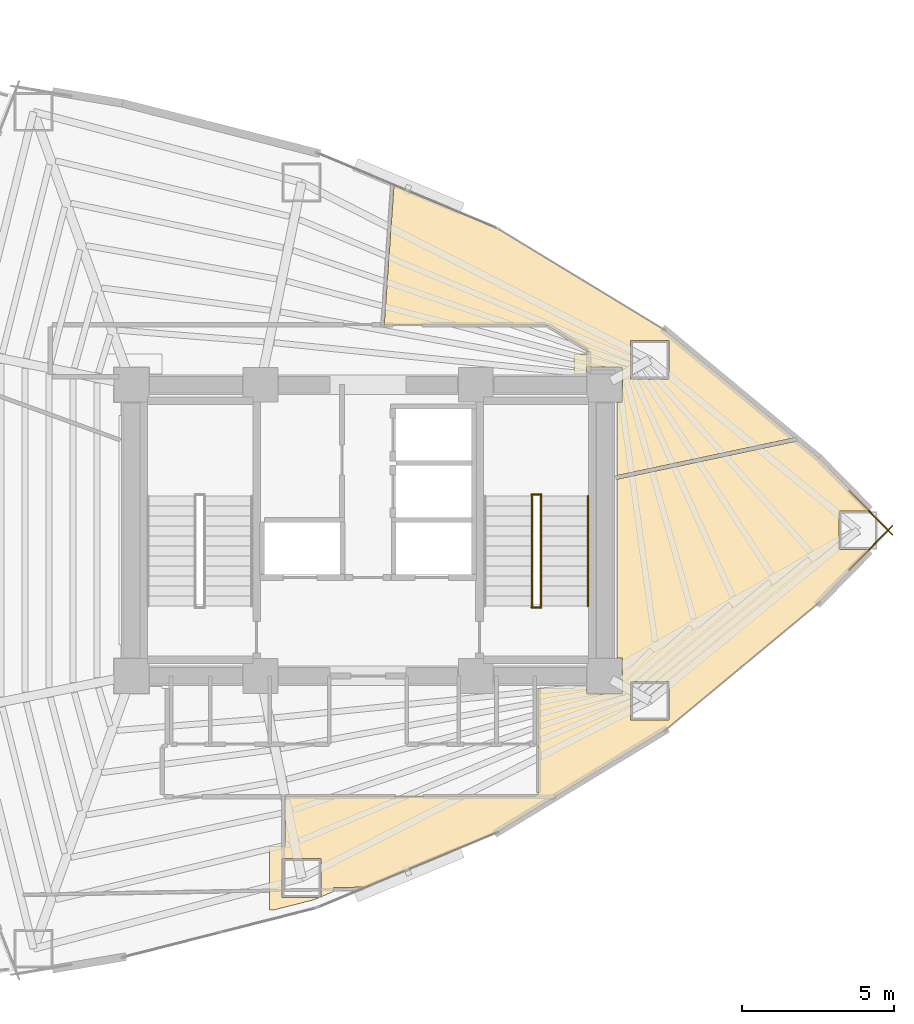
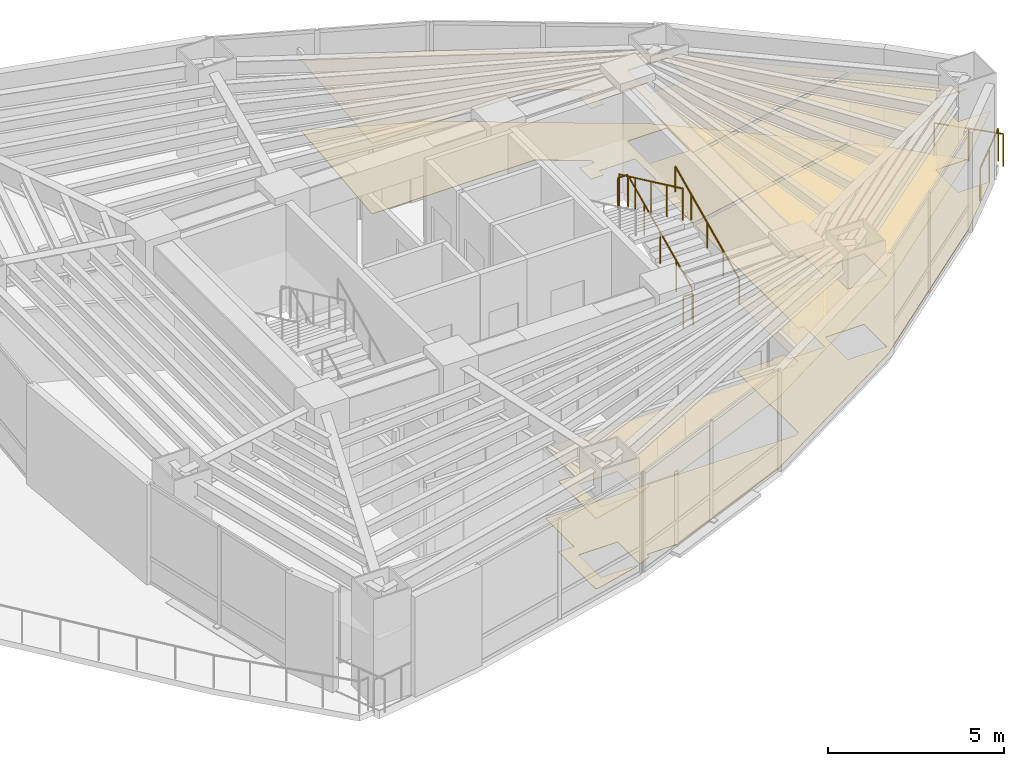
# One storey, part 19 of 19: 7 railings, 4 coverings.
"""IFC4 building model written with IfcOpenShell, lengths in metres."""

from ifc_helpers import new_model, si_unit, direction, frame, origin, origin_2d, place, context, subcontext, project, spatial, polyline, circle, outline, extrude, material, layer, layer_set, type_object, element, save


model = new_model("IFC4")

# Units and contexts
model_context = context("Model", 3, precision=1e-05, world=origin(), true_north=direction((0.0, 1.0)))
body_context = subcontext(model_context, "Body", "Model", "MODEL_VIEW")
ifc_project = project(units=[si_unit("LENGTHUNIT", "METRE"), si_unit("AREAUNIT", "SQUARE_METRE"), si_unit("VOLUMEUNIT", "CUBIC_METRE"), si_unit("PLANEANGLEUNIT", "RADIAN"), si_unit("MASSUNIT", "GRAM", prefix="KILO")], contexts=[model_context])

# Site, building, storey
site_placement = place(None, origin())
site = spatial("IfcSite", under=ifc_project, at=site_placement, CompositionType="ELEMENT")
building_placement = place(site_placement, origin())
building = spatial("IfcBuilding", under=site, at=building_placement, Name="Menara Vayukalpa", CompositionType="ELEMENT")
storey_placement = place(building_placement, frame((0.0, 0.0, 118.860107421875)))
storey = spatial("IfcBuildingStorey", under=building, at=storey_placement, Name="L29", CompositionType="ELEMENT", Elevation=118.860107421875)

# Coverings
ifc_material_1 = material(Name="Mineral Fibre Acoustic Ceiling Tile", Category="masonry")
ifc_layer_1 = layer(ifc_material_1, 0.02490234375)
ifc_layer_set_1 = layer_set([ifc_layer_1], Name="Mineral Fibre Acoustic Ceiling Tile")
covering_type_1 = type_object("IfcCoveringType", Name="COV-CLG1", PredefinedType="CEILING", material=ifc_layer_set_1)
covering_1_placement = place(storey_placement, frame((0.0, 0.0, 2.449951171875)))
element("IfcCovering", 1, at=covering_1_placement, inside=storey, type_object=covering_type_1, Name="L29 Client Conference Room Acoustic Ceiling", PredefinedType="CEILING", context=body_context, shape_type="SweptSolid", body=[
    extrude(outline(polyline([(22.860107421875, 13.2099609375), (22.860107421875, 13.2109375), (22.860107421875, 13.2119140625), (22.8603515625, 13.212890625), (22.86083984375, 13.2138671875), (22.861083984375, 13.214599609375), (22.86181640625, 13.215576171875), (22.8623046875, 13.21630859375), (22.86279296875, 13.217041015625), (22.86376953125, 13.2177734375), (22.864501953125, 13.21826171875), (22.865234375, 13.21875), (22.8662109375, 13.21923828125), (22.8671875, 13.219482421875), (22.867919921875, 13.2197265625), (22.868896484375, 13.219970703125), (22.8701171875, 13.219970703125), (31.048828125, 13.219970703125), (31.055419921875, 13.22021484375), (31.0615234375, 13.22119140625), (31.06787109375, 13.22265625), (31.073974609375, 13.224609375), (31.079833984375, 13.22705078125), (31.085693359375, 13.230224609375), (31.186279296875, 13.29150390625), (31.192138671875, 13.295654296875), (31.19775390625, 13.30029296875), (31.202880859375, 13.305419921875), (31.207275390625, 13.31103515625), (31.2109375, 13.317138671875), (31.214111328125, 13.323486328125), (31.216796875, 13.330078125), (31.218505859375, 13.337158203125), (31.219482421875, 13.34423828125), (31.219970703125, 13.3515625), (31.219970703125, 14.849609375), (31.219482421875, 14.856689453125), (31.21875, 14.86376953125), (31.217041015625, 14.870361328125), (31.214599609375, 14.876708984375), (31.2119140625, 14.8828125), (31.211669921875, 14.883056640625), (31.211181640625, 14.8837890625), (31.210693359375, 14.884765625), (31.21044921875, 14.8857421875), (31.210205078125, 14.88671875), (31.2099609375, 14.8876953125), (31.2099609375, 14.888671875), (31.2099609375, 16.780029296875), (31.2099609375, 16.781005859375), (31.210205078125, 16.781982421875), (31.21044921875, 16.782958984375), (31.210693359375, 16.78369140625), (31.211181640625, 16.78466796875), (31.211669921875, 16.78564453125), (31.21240234375, 16.786376953125), (31.212890625, 16.787109375), (31.213623046875, 16.78759765625), (31.21435546875, 16.788330078125), (31.21533203125, 16.788818359375), (31.21630859375, 16.789306640625), (31.217041015625, 16.78955078125), (31.218017578125, 16.789794921875), (31.218994140625, 16.7900390625), (31.219970703125, 16.7900390625), (32.389892578125, 16.7900390625), (32.389892578125, 16.85009765625), (32.81005859375, 16.85009765625), (32.81005859375, 16.610107421875), (33.989990234375, 16.610107421875), (33.989990234375, 17.7900390625), (33.81005859375, 17.7900390625), (33.81005859375, 23.67578125), (33.81005859375, 23.6767578125), (33.810302734375, 23.677490234375), (33.810302734375, 23.6787109375), (33.810791015625, 23.679443359375), (33.811279296875, 23.680419921875), (33.811767578125, 23.68115234375), (33.812255859375, 23.681884765625), (33.81298828125, 23.6826171875), (33.813720703125, 23.683349609375), (33.814453125, 23.68408203125), (33.815185546875, 23.6845703125), (33.816162109375, 23.684814453125), (33.81689453125, 23.685302734375), (33.81787109375, 23.685546875), (39.7509765625, 24.946533203125), (39.7568359375, 24.947998046875), (39.76220703125, 24.9501953125), (39.763671875, 24.95068359375), (39.764404296875, 24.951171875), (39.765380859375, 24.951416015625), (39.766357421875, 24.95166015625), (39.767333984375, 24.951904296875), (39.768310546875, 24.951904296875), (39.769287109375, 24.951904296875), (39.770263671875, 24.95166015625), (39.77099609375, 24.951416015625), (39.77197265625, 24.951171875), (39.77294921875, 24.95068359375), (39.773681640625, 24.9501953125), (39.7744140625, 24.94970703125), (40.46044921875, 24.380615234375), (40.461181640625, 24.3798828125), (42.169677734375, 22.639892578125), (41.121826171875, 22.639892578125), (41.121826171875, 21.360107421875), (42.169677734375, 21.360107421875), (40.461181640625, 19.6201171875), (40.46044921875, 19.619384765625), (35.380859375, 15.40673828125), (35.379638671875, 15.406005859375), (29.862060546875, 12.05419921875), (29.861328125, 12.0537109375), (29.860595703125, 12.053466796875), (25.472900390625, 10.218017578125), (25.47216796875, 10.2177734375), (25.47119140625, 10.217529296875), (25.47021484375, 10.21728515625), (25.46923828125, 10.21728515625), (25.46826171875, 10.21728515625), (25.46728515625, 10.21728515625), (25.466552734375, 10.217529296875), (25.465576171875, 10.218017578125), (25.464599609375, 10.21826171875), (25.4638671875, 10.21875), (25.463134765625, 10.21923828125), (25.46240234375, 10.219970703125), (25.459716796875, 10.222412109375), (25.454833984375, 10.225830078125), (25.449951171875, 10.228759765625), (25.444580078125, 10.231201171875), (25.438720703125, 10.23291015625), (25.43310546875, 10.234375), (25.42724609375, 10.235107421875), (25.421142578125, 10.2353515625), (24.46826171875, 10.21875), (24.46826171875, 10.090576171875), (24.048095703125, 9.914794921875), (24.048095703125, 11.172607421875), (22.768310546875, 11.172607421875), (22.768310546875, 9.892578125), (23.9951171875, 9.892578125), (23.818359375, 9.818603515625), (22.46142578125, 9.47265625), (22.34814453125, 9.47265625), (22.34814453125, 11.592529296875), (22.860107421875, 11.592529296875), (22.860107421875, 13.2099609375)]), holes=[polyline([(35.52685546875, 17.018310546875), (34.246826171875, 17.018310546875), (34.246826171875, 15.73828125), (35.52685546875, 15.73828125), (35.52685546875, 17.018310546875)])]), origin(), (0.0, 0.0, 1.0), 0.02490234375),
])
covering_2_placement = place(storey_placement, frame((0.0, 0.0, 2.449951171875)))
element("IfcCovering", 2, at=covering_2_placement, inside=storey, type_object=covering_type_1, Name="L29 Executive Boardroom Acoustic Ceiling", PredefinedType="CEILING", context=body_context, shape_type="SweptSolid", body=[
    extrude(outline(polyline([(32.8701171875, 27.89111328125), (32.86962890625, 27.8984375), (32.868408203125, 27.905517578125), (32.86669921875, 27.912353515625), (32.8642578125, 27.919189453125), (32.861083984375, 27.925537109375), (32.857177734375, 27.931640625), (32.852783203125, 27.937255859375), (32.847900390625, 27.9423828125), (32.84228515625, 27.947021484375), (32.836181640625, 27.951171875), (31.505126953125, 28.759765625), (31.49951171875, 28.762939453125), (31.49365234375, 28.765380859375), (31.487548828125, 28.767333984375), (31.481201171875, 28.768798828125), (31.47509765625, 28.769775390625), (31.468505859375, 28.77001953125), (26.144287109375, 28.77001953125), (26.143310546875, 28.77001953125), (26.142333984375, 28.770263671875), (26.141357421875, 28.7705078125), (26.140380859375, 28.770751953125), (26.1396484375, 28.77099609375), (26.138916015625, 28.771484375), (26.137939453125, 28.772216796875), (26.13720703125, 28.772705078125), (26.13671875, 28.7734375), (26.135986328125, 28.7744140625), (26.135498046875, 28.775146484375), (26.135009765625, 28.77587890625), (26.134765625, 28.77685546875), (26.134521484375, 28.77783203125), (26.134521484375, 28.77880859375), (26.13427734375, 28.77978515625), (26.13427734375, 28.78076171875), (26.454345703125, 33.357177734375), (26.454345703125, 33.358154296875), (26.45458984375, 33.359130859375), (26.455078125, 33.360107421875), (26.455322265625, 33.36083984375), (26.455810546875, 33.36181640625), (26.45654296875, 33.362548828125), (26.45703125, 33.36328125), (26.457763671875, 33.364013671875), (26.45849609375, 33.364501953125), (26.45947265625, 33.365234375), (26.46044921875, 33.365478515625), (26.461181640625, 33.365966796875), (26.46240234375, 33.3662109375), (26.46337890625, 33.3662109375), (26.46435546875, 33.366455078125), (26.46533203125, 33.366455078125), (26.46630859375, 33.3662109375), (26.46728515625, 33.365966796875), (26.46826171875, 33.365478515625), (29.860595703125, 31.946533203125), (29.861328125, 31.9462890625), (29.862060546875, 31.94580078125), (35.379638671875, 28.593994140625), (35.380859375, 28.59326171875), (39.638916015625, 25.06201171875), (39.6396484375, 25.061279296875), (39.640380859375, 25.060546875), (39.640869140625, 25.059814453125), (39.641357421875, 25.05908203125), (39.641845703125, 25.05810546875), (39.64208984375, 25.05712890625), (39.642333984375, 25.056396484375), (39.642578125, 25.055419921875), (39.642578125, 25.05419921875), (39.642578125, 25.05322265625), (39.642333984375, 25.052490234375), (39.64208984375, 25.051513671875), (39.641845703125, 25.050537109375), (39.641357421875, 25.049560546875), (39.64111328125, 25.048828125), (39.640380859375, 25.048095703125), (39.6396484375, 25.04736328125), (39.638916015625, 25.046630859375), (39.63818359375, 25.0458984375), (39.637451171875, 25.04541015625), (39.636474609375, 25.045166015625), (39.635498046875, 25.044921875), (39.634765625, 25.04443359375), (33.822021484375, 23.80908203125), (33.821044921875, 23.808837890625), (33.820068359375, 23.808837890625), (33.819091796875, 23.808837890625), (33.818115234375, 23.80908203125), (33.817138671875, 23.80908203125), (33.81640625, 23.8095703125), (33.8154296875, 23.809814453125), (33.814453125, 23.810302734375), (33.813720703125, 23.81103515625), (33.81298828125, 23.811767578125), (33.812255859375, 23.8125), (33.811767578125, 23.813232421875), (33.811279296875, 23.814208984375), (33.810791015625, 23.81494140625), (33.810302734375, 23.81591796875), (33.810302734375, 23.81689453125), (33.81005859375, 23.81787109375), (33.81005859375, 23.81884765625), (33.81005859375, 26.2099609375), (33.989990234375, 26.2099609375), (33.989990234375, 27.389892578125), (32.81005859375, 27.389892578125), (32.81005859375, 27.14990234375), (32.389892578125, 27.14990234375), (32.389892578125, 27.81005859375), (32.8701171875, 27.81005859375), (32.8701171875, 27.89111328125)]), holes=[polyline([(35.52685546875, 26.981689453125), (35.52685546875, 28.26171875), (34.246826171875, 28.26171875), (34.246826171875, 26.981689453125), (35.52685546875, 26.981689453125)])]), origin(), (0.0, 0.0, 1.0), 0.02490234375),
])
ifc_material_2 = material(Name="Porcelain Stoneware Floor Tile", Category="masonry")
ifc_layer_2 = layer(ifc_material_2, 0.02001953125)
ifc_layer_set_2 = layer_set([ifc_layer_2], Name="Porcelain Stoneware Floor Tile")
covering_type_2 = type_object("IfcCoveringType", Name="COV-FLR1", PredefinedType="FLOORING", material=ifc_layer_set_2)
covering_3_placement = place(storey_placement, origin())
element("IfcCovering", 3, at=covering_3_placement, inside=storey, type_object=covering_type_2, Name="L29 Client Conference Room Porcelain Flooring", PredefinedType="FLOORING", context=body_context, shape_type="SweptSolid", body=[
    extrude(outline(polyline([(22.860107421875, 13.2099609375), (22.860107421875, 13.2109375), (22.860107421875, 13.2119140625), (22.8603515625, 13.212890625), (22.86083984375, 13.2138671875), (22.861083984375, 13.214599609375), (22.86181640625, 13.215576171875), (22.8623046875, 13.21630859375), (22.86279296875, 13.217041015625), (22.86376953125, 13.2177734375), (22.864501953125, 13.21826171875), (22.865234375, 13.21875), (22.8662109375, 13.21923828125), (22.8671875, 13.219482421875), (22.867919921875, 13.2197265625), (22.868896484375, 13.219970703125), (22.8701171875, 13.219970703125), (31.048828125, 13.219970703125), (31.055419921875, 13.22021484375), (31.0615234375, 13.22119140625), (31.06787109375, 13.22265625), (31.073974609375, 13.224609375), (31.079833984375, 13.22705078125), (31.085693359375, 13.230224609375), (31.186279296875, 13.29150390625), (31.192138671875, 13.295654296875), (31.19775390625, 13.30029296875), (31.202880859375, 13.305419921875), (31.207275390625, 13.31103515625), (31.2109375, 13.317138671875), (31.214111328125, 13.323486328125), (31.216796875, 13.330078125), (31.218505859375, 13.337158203125), (31.219482421875, 13.34423828125), (31.219970703125, 13.3515625), (31.219970703125, 14.849609375), (31.219482421875, 14.856689453125), (31.21875, 14.86376953125), (31.217041015625, 14.870361328125), (31.214599609375, 14.876708984375), (31.2119140625, 14.8828125), (31.211669921875, 14.883056640625), (31.211181640625, 14.8837890625), (31.210693359375, 14.884765625), (31.21044921875, 14.8857421875), (31.210205078125, 14.88671875), (31.2099609375, 14.8876953125), (31.2099609375, 14.888671875), (31.2099609375, 16.780029296875), (31.2099609375, 16.781005859375), (31.210205078125, 16.781982421875), (31.21044921875, 16.782958984375), (31.210693359375, 16.78369140625), (31.211181640625, 16.78466796875), (31.211669921875, 16.78564453125), (31.21240234375, 16.786376953125), (31.212890625, 16.787109375), (31.213623046875, 16.78759765625), (31.21435546875, 16.788330078125), (31.21533203125, 16.788818359375), (31.21630859375, 16.789306640625), (31.217041015625, 16.78955078125), (31.218017578125, 16.789794921875), (31.218994140625, 16.7900390625), (31.219970703125, 16.7900390625), (32.389892578125, 16.7900390625), (32.389892578125, 16.85009765625), (32.81005859375, 16.85009765625), (32.81005859375, 16.610107421875), (33.989990234375, 16.610107421875), (33.989990234375, 17.7900390625), (33.81005859375, 17.7900390625), (33.81005859375, 23.67578125), (33.81005859375, 23.6767578125), (33.810302734375, 23.677490234375), (33.810302734375, 23.6787109375), (33.810791015625, 23.679443359375), (33.811279296875, 23.680419921875), (33.811767578125, 23.68115234375), (33.812255859375, 23.681884765625), (33.81298828125, 23.6826171875), (33.813720703125, 23.683349609375), (33.814453125, 23.68408203125), (33.815185546875, 23.6845703125), (33.816162109375, 23.684814453125), (33.81689453125, 23.685302734375), (33.81787109375, 23.685546875), (39.7509765625, 24.946533203125), (39.7568359375, 24.947998046875), (39.76220703125, 24.9501953125), (39.763671875, 24.95068359375), (39.764404296875, 24.951171875), (39.765380859375, 24.951416015625), (39.766357421875, 24.95166015625), (39.767333984375, 24.951904296875), (39.768310546875, 24.951904296875), (39.769287109375, 24.951904296875), (39.770263671875, 24.95166015625), (39.77099609375, 24.951416015625), (39.77197265625, 24.951171875), (39.77294921875, 24.95068359375), (39.773681640625, 24.9501953125), (39.7744140625, 24.94970703125), (40.46044921875, 24.380615234375), (40.461181640625, 24.3798828125), (42.169677734375, 22.639892578125), (41.121826171875, 22.639892578125), (41.121826171875, 21.360107421875), (42.169677734375, 21.360107421875), (40.461181640625, 19.6201171875), (40.46044921875, 19.619384765625), (35.380859375, 15.40673828125), (35.379638671875, 15.406005859375), (29.862060546875, 12.05419921875), (29.861328125, 12.0537109375), (29.860595703125, 12.053466796875), (25.472900390625, 10.218017578125), (25.47216796875, 10.2177734375), (25.47119140625, 10.217529296875), (25.47021484375, 10.21728515625), (25.46923828125, 10.21728515625), (25.46826171875, 10.21728515625), (25.46728515625, 10.21728515625), (25.466552734375, 10.217529296875), (25.465576171875, 10.218017578125), (25.464599609375, 10.21826171875), (25.4638671875, 10.21875), (25.463134765625, 10.21923828125), (25.46240234375, 10.219970703125), (25.459716796875, 10.222412109375), (25.454833984375, 10.225830078125), (25.449951171875, 10.228759765625), (25.444580078125, 10.231201171875), (25.438720703125, 10.23291015625), (25.43310546875, 10.234375), (25.42724609375, 10.235107421875), (25.421142578125, 10.2353515625), (24.46826171875, 10.21875), (24.46826171875, 10.090576171875), (24.048095703125, 9.914794921875), (24.048095703125, 11.172607421875), (22.768310546875, 11.172607421875), (22.768310546875, 9.892578125), (23.9951171875, 9.892578125), (23.818359375, 9.818603515625), (22.46142578125, 9.47265625), (22.34814453125, 9.47265625), (22.34814453125, 11.592529296875), (22.860107421875, 11.592529296875), (22.860107421875, 13.2099609375)]), holes=[polyline([(35.52685546875, 17.018310546875), (34.246826171875, 17.018310546875), (34.246826171875, 15.73828125), (35.52685546875, 15.73828125), (35.52685546875, 17.018310546875)])]), origin(), (0.0, 0.0, 1.0), 0.019775390625),
])
covering_4_placement = place(storey_placement, origin())
element("IfcCovering", 4, at=covering_4_placement, inside=storey, type_object=covering_type_2, Name="L29 Executive Boardroom Porcelain Flooring", PredefinedType="FLOORING", context=body_context, shape_type="SweptSolid", body=[
    extrude(outline(polyline([(32.8701171875, 27.89111328125), (32.86962890625, 27.8984375), (32.868408203125, 27.905517578125), (32.86669921875, 27.912353515625), (32.8642578125, 27.919189453125), (32.861083984375, 27.925537109375), (32.857177734375, 27.931640625), (32.852783203125, 27.937255859375), (32.847900390625, 27.9423828125), (32.84228515625, 27.947021484375), (32.836181640625, 27.951171875), (31.505126953125, 28.759765625), (31.49951171875, 28.762939453125), (31.49365234375, 28.765380859375), (31.487548828125, 28.767333984375), (31.481201171875, 28.768798828125), (31.47509765625, 28.769775390625), (31.468505859375, 28.77001953125), (26.144287109375, 28.77001953125), (26.143310546875, 28.77001953125), (26.142333984375, 28.770263671875), (26.141357421875, 28.7705078125), (26.140380859375, 28.770751953125), (26.1396484375, 28.77099609375), (26.138916015625, 28.771484375), (26.137939453125, 28.772216796875), (26.13720703125, 28.772705078125), (26.13671875, 28.7734375), (26.135986328125, 28.7744140625), (26.135498046875, 28.775146484375), (26.135009765625, 28.77587890625), (26.134765625, 28.77685546875), (26.134521484375, 28.77783203125), (26.134521484375, 28.77880859375), (26.13427734375, 28.77978515625), (26.13427734375, 28.78076171875), (26.454345703125, 33.357177734375), (26.454345703125, 33.358154296875), (26.45458984375, 33.359130859375), (26.455078125, 33.360107421875), (26.455322265625, 33.36083984375), (26.455810546875, 33.36181640625), (26.45654296875, 33.362548828125), (26.45703125, 33.36328125), (26.457763671875, 33.364013671875), (26.45849609375, 33.364501953125), (26.45947265625, 33.365234375), (26.46044921875, 33.365478515625), (26.461181640625, 33.365966796875), (26.46240234375, 33.3662109375), (26.46337890625, 33.3662109375), (26.46435546875, 33.366455078125), (26.46533203125, 33.366455078125), (26.46630859375, 33.3662109375), (26.46728515625, 33.365966796875), (26.46826171875, 33.365478515625), (29.860595703125, 31.946533203125), (29.861328125, 31.9462890625), (29.862060546875, 31.94580078125), (35.379638671875, 28.593994140625), (35.380859375, 28.59326171875), (39.638916015625, 25.06201171875), (39.6396484375, 25.061279296875), (39.640380859375, 25.060546875), (39.640869140625, 25.059814453125), (39.641357421875, 25.05908203125), (39.641845703125, 25.05810546875), (39.64208984375, 25.05712890625), (39.642333984375, 25.056396484375), (39.642578125, 25.055419921875), (39.642578125, 25.05419921875), (39.642578125, 25.05322265625), (39.642333984375, 25.052490234375), (39.64208984375, 25.051513671875), (39.641845703125, 25.050537109375), (39.641357421875, 25.049560546875), (39.64111328125, 25.048828125), (39.640380859375, 25.048095703125), (39.6396484375, 25.04736328125), (39.638916015625, 25.046630859375), (39.63818359375, 25.0458984375), (39.637451171875, 25.04541015625), (39.636474609375, 25.045166015625), (39.635498046875, 25.044921875), (39.634765625, 25.04443359375), (33.822021484375, 23.80908203125), (33.821044921875, 23.808837890625), (33.820068359375, 23.808837890625), (33.819091796875, 23.808837890625), (33.818115234375, 23.80908203125), (33.817138671875, 23.80908203125), (33.81640625, 23.8095703125), (33.8154296875, 23.809814453125), (33.814453125, 23.810302734375), (33.813720703125, 23.81103515625), (33.81298828125, 23.811767578125), (33.812255859375, 23.8125), (33.811767578125, 23.813232421875), (33.811279296875, 23.814208984375), (33.810791015625, 23.81494140625), (33.810302734375, 23.81591796875), (33.810302734375, 23.81689453125), (33.81005859375, 23.81787109375), (33.81005859375, 23.81884765625), (33.81005859375, 26.2099609375), (33.989990234375, 26.2099609375), (33.989990234375, 27.389892578125), (32.81005859375, 27.389892578125), (32.81005859375, 27.14990234375), (32.389892578125, 27.14990234375), (32.389892578125, 27.81005859375), (32.8701171875, 27.81005859375), (32.8701171875, 27.89111328125)]), holes=[polyline([(35.52685546875, 26.981689453125), (35.52685546875, 28.26171875), (34.246826171875, 28.26171875), (34.246826171875, 26.981689453125), (35.52685546875, 26.981689453125)])]), origin(), (0.0, 0.0, 1.0), 0.019775390625),
])

# Railings
ifc_material_3 = material(Name="Laminated Glass and Stainless Steel 316 Guardrail", Category="steel")
railing_type_1 = type_object("IfcRailingType", Name="RLG-EXT115", PredefinedType="GUARDRAIL", material=ifc_material_3)
railing_1_placement = place(storey_placement, frame((41.458740234375, 20.693115234375, 0.0)))
element("IfcRailing", 5, at=railing_1_placement, inside=storey, type_object=railing_type_1, Name="L29 Column Corner Spandrel Guardrail 01-1", PredefinedType="GUARDRAIL", context=body_context, shape_type="SweptSolid", body=[
    extrude(circle(Radius=0.02392578125, at=origin_2d()), frame((0.0, 0.0, 1.1259765625), z_axis=(0.700555740742, 0.713597683652, 0.0), x_axis=(-0.713597683652, 0.700555740742, 0.0)), (0.0, 0.0, 1.0), 2.04052734375),
    extrude(circle(Radius=0.02099609375, at=origin_2d()), origin(), (0.0, 0.0, 1.0), 1.101806640625),
    extrude(circle(Radius=0.02099609375, at=origin_2d()), frame((0.71484375, 0.72802734375, 0.0)), (0.0, 0.0, 1.0), 1.101806640625),
    extrude(circle(Radius=0.02099609375, at=origin_2d()), frame((1.429443359375, 1.4560546875, 0.0)), (0.0, 0.0, 1.0), 1.101806640625),
])
railing_2_placement = place(storey_placement, frame((42.88818359375, 21.850830078125, 0.0)))
element("IfcRailing", 6, at=railing_2_placement, inside=storey, type_object=railing_type_1, Name="L29 Column Corner Spandrel Guardrail 02-1", PredefinedType="GUARDRAIL", context=body_context, shape_type="SweptSolid", body=[
    extrude(circle(Radius=0.02392578125, at=origin_2d()), frame((0.0, 0.0, 1.1259765625), z_axis=(-0.700555740742, 0.713597683652, 0.0), x_axis=(-0.713597683652, -0.700555740742, 0.0)), (0.0, 0.0, 1.0), 2.04052734375),
    extrude(circle(Radius=0.02099609375, at=origin_2d()), origin(), (0.0, 0.0, 1.0), 1.101806640625),
    extrude(circle(Radius=0.02099609375, at=origin_2d()), frame((-0.71484375, 0.72802734375, 0.0)), (0.0, 0.0, 1.0), 1.101806640625),
    extrude(circle(Radius=0.02099609375, at=origin_2d()), frame((-1.429443359375, 1.4560546875, 0.0)), (0.0, 0.0, 1.0), 1.101806640625),
])
ifc_material_4 = material(Name="Powder-Coated Galvanised Steel Guardrail", Category="steel")
railing_type_2 = type_object("IfcRailingType", Name="RLG-STG110", PredefinedType="GUARDRAIL", material=ifc_material_4)
railing_3_placement = place(storey_placement, frame((31.300048828125, 19.5, 0.15478515625)))
element("IfcRailing", 7, at=railing_3_placement, inside=storey, type_object=railing_type_2, Name="L29 ST-2 stair guard 1", PredefinedType="GUARDRAIL", context=body_context, shape_type="SweptSolid", body=[
    extrude(circle(Radius=0.02392578125, at=origin_2d()), frame((0.0, 0.0, 1.09619140625), z_axis=(0.0, 0.90511648382, 0.425163675209), x_axis=(-1.0, 0.0, 0.0)), (0.0, 0.0, 1.0), 4.010498046875),
    extrude(circle(Radius=0.02099609375, at=origin_2d()), origin(), (0.0, 0.0, 1.0), 1.072021484375),
    extrude(circle(Radius=0.02099609375, at=origin_2d()), frame((0.0, 0.907470703125, 0.42626953125)), (0.0, 0.0, 1.0), 1.072021484375),
    extrude(circle(Radius=0.02099609375, at=origin_2d()), frame((0.0, 1.81494140625, 0.8525390625)), (0.0, 0.0, 1.0), 1.072021484375),
    extrude(circle(Radius=0.02099609375, at=origin_2d()), frame((0.0, 2.722412109375, 1.27880859375)), (0.0, 0.0, 1.0), 1.072021484375),
    extrude(circle(Radius=0.02099609375, at=origin_2d()), frame((0.0, 3.6298828125, 1.705078125)), (0.0, 0.0, 1.0), 1.072021484375),
])
railing_4_placement = place(storey_placement, frame((31.31005859375, 23.179931640625, 1.85986328125)))
element("IfcRailing", 8, at=railing_4_placement, inside=storey, type_object=railing_type_2, Name="L29 ST-2 stair guard 2", PredefinedType="GUARDRAIL", context=body_context, shape_type="SweptSolid", body=[
    extrude(circle(Radius=0.02392578125, at=origin_2d()), frame((0.0, 0.0, 1.09619140625), z_axis=(-1.0, 0.0, 0.0), x_axis=(0.0, -1.0, 0.0)), (0.0, 0.0, 1.0), 0.320068359375),
    extrude(circle(Radius=0.02099609375, at=origin_2d()), origin(), (0.0, 0.0, 1.0), 1.072021484375),
    extrude(circle(Radius=0.02099609375, at=origin_2d()), frame((-0.320068359375, 0.0, 0.0)), (0.0, 0.0, 1.0), 1.072021484375),
])
railing_5_placement = place(storey_placement, frame((31.0, 23.1298828125, 2.014892578125)))
element("IfcRailing", 9, at=railing_5_placement, inside=storey, type_object=railing_type_2, Name="L29 ST-2 stair guard 3", PredefinedType="GUARDRAIL", context=body_context, shape_type="SweptSolid", body=[
    extrude(circle(Radius=0.02392578125, at=origin_2d()), frame((0.0, 0.0, 1.09619140625), z_axis=(0.0, -0.90511648382, 0.425163675209), x_axis=(1.0, 0.0, 0.0)), (0.0, 0.0, 1.0), 4.010498046875),
    extrude(circle(Radius=0.02099609375, at=origin_2d()), origin(), (0.0, 0.0, 1.0), 1.072021484375),
    extrude(circle(Radius=0.02099609375, at=origin_2d()), frame((0.0, -0.907470703125, 0.42626953125)), (0.0, 0.0, 1.0), 1.072021484375),
    extrude(circle(Radius=0.02099609375, at=origin_2d()), frame((0.0, -1.81494140625, 0.8525390625)), (0.0, 0.0, 1.0), 1.072021484375),
    extrude(circle(Radius=0.02099609375, at=origin_2d()), frame((0.0, -2.722412109375, 1.27880859375)), (0.0, 0.0, 1.0), 1.072021484375),
    extrude(circle(Radius=0.02099609375, at=origin_2d()), frame((0.0, -3.6298828125, 1.705078125)), (0.0, 0.0, 1.0), 1.072021484375),
])
railing_6_placement = place(storey_placement, frame((31.31005859375, 19.449951171875, 0.0)))
element("IfcRailing", 10, at=railing_6_placement, inside=storey, type_object=railing_type_2, Name="L29 ST-2 stair guard 4", PredefinedType="GUARDRAIL", context=body_context, shape_type="SweptSolid", body=[
    extrude(circle(Radius=0.02392578125, at=origin_2d()), frame((0.0, 0.0, 1.09619140625), z_axis=(-1.0, 0.0, 0.0), x_axis=(0.0, -1.0, 0.0)), (0.0, 0.0, 1.0), 0.320068359375),
    extrude(circle(Radius=0.02099609375, at=origin_2d()), origin(), (0.0, 0.0, 1.0), 1.072021484375),
    extrude(circle(Radius=0.02099609375, at=origin_2d()), frame((-0.320068359375, 0.0, 0.0)), (0.0, 0.0, 1.0), 1.072021484375),
])
ifc_material_5 = material(Name="Stainless Steel 316 Tubular Handrail", Category="steel")
railing_type_3 = type_object("IfcRailingType", Name="RLG-STH090", PredefinedType="HANDRAIL", material=ifc_material_5)
railing_7_placement = place(storey_placement, frame((32.85009765625, 19.5, 0.15478515625)))
element("IfcRailing", 11, at=railing_7_placement, inside=storey, type_object=railing_type_3, Name="L29 ST-2 stair handrail 1", PredefinedType="HANDRAIL", context=body_context, shape_type="SweptSolid", body=[
    extrude(circle(Radius=0.02392578125, at=origin_2d()), frame((0.0, 0.0, 0.8759765625), z_axis=(0.0, 0.90511648382, 0.425163675209), x_axis=(-1.0, 0.0, 0.0)), (0.0, 0.0, 1.0), 4.010498046875),
    extrude(circle(Radius=0.02099609375, at=origin_2d()), origin(), (0.0, 0.0, 1.0), 0.851806640625),
    extrude(circle(Radius=0.02099609375, at=origin_2d()), frame((0.0, 0.907470703125, 0.42626953125)), (0.0, 0.0, 1.0), 0.851806640625),
    extrude(circle(Radius=0.02099609375, at=origin_2d()), frame((0.0, 1.81494140625, 0.8525390625)), (0.0, 0.0, 1.0), 0.851806640625),
    extrude(circle(Radius=0.02099609375, at=origin_2d()), frame((0.0, 2.722412109375, 1.27880859375)), (0.0, 0.0, 1.0), 0.851806640625),
    extrude(circle(Radius=0.02099609375, at=origin_2d()), frame((0.0, 3.6298828125, 1.705078125)), (0.0, 0.0, 1.0), 0.851806640625),
])

save(model, "model.ifc")
